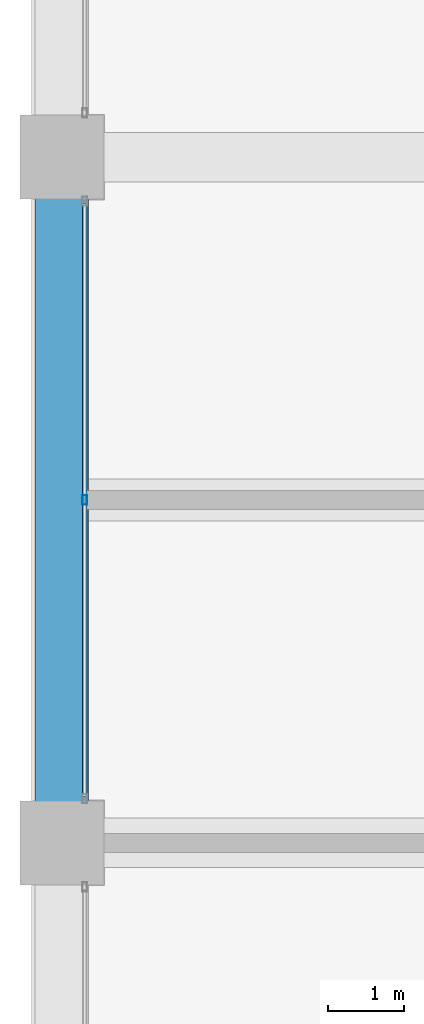
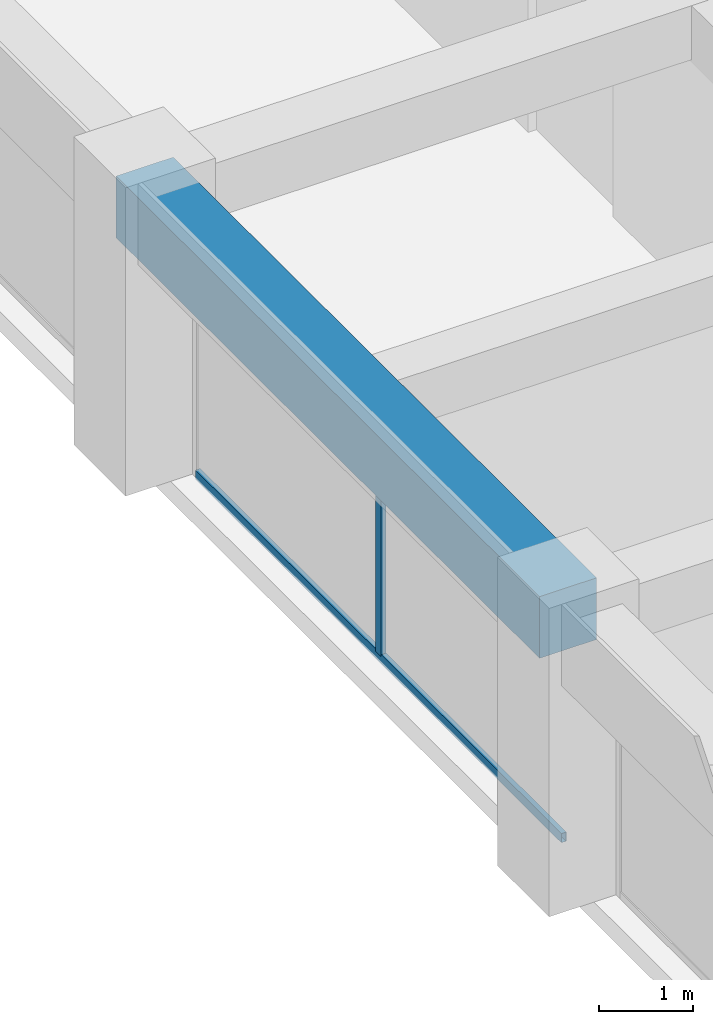
# One storey, part 14 of 44: 2 members, 1 beam, 1 element without a shape of its own.
"""IFC4 building model written with IfcOpenShell, lengths in metres."""

import ifcopenshell
import ifcopenshell.guid

model = None  # the IFC model being written
_history = None  # IfcOwnerHistory: only IFC2X3 demands one
_inside = {}  # id of a spatial element -> (the spatial element, [elements in it])
_under = {}  # id of a project, library or spatial element -> (it, [spatial elements below it])
_declared = {}  # id of a project -> (the project, [libraries it declares])
_typed = {}  # id of a type object -> (the type object, [elements of that type])
_made_of = {}  # id of a material, layer set ... -> (it, [elements and type objects made of it])


def new_model(schema):
    """Start an empty IFC model of exactly this schema.

    Asked for "IFC4X3", IfcOpenShell would pick the latest addendum, in which some entities
    have other attributes; the version numbers below select the first issue.
    IFC2X3 requires an IfcOwnerHistory on every rooted entity: one is made here for all.
    """
    global model, _history
    if schema == "IFC4X3":
        model = ifcopenshell.file(schema_version=(4, 3, 0, 0))
    else:
        model = ifcopenshell.file(schema=schema)
    _inside.clear()
    _under.clear()
    _declared.clear()
    _typed.clear()
    _made_of.clear()
    _history = None
    if model.schema == "IFC2X3":
        org = make("IfcOrganization", Name="unknown")
        user = make(
            "IfcPersonAndOrganization",
            ThePerson=make("IfcPerson", FamilyName="unknown"),
            TheOrganization=org,
        )
        app = make(
            "IfcApplication",
            ApplicationDeveloper=org,
            Version="unknown",
            ApplicationFullName="unknown",
            ApplicationIdentifier="unknown",
        )
        _history = make(
            "IfcOwnerHistory",
            OwningUser=user,
            OwningApplication=app,
            ChangeAction="ADDED",
            CreationDate=0,
        )
    return model


def make(cls, **values):
    """One entity of the class cls with the attributes given. An attribute that is None is left unset."""
    return model.create_entity(
        cls, **{name: value for name, value in values.items() if value is not None}
    )


def rooted(cls, **values):
    """An entity with a GlobalId (a new one), such as an element, a storey or a relation."""
    return make(cls, GlobalId=ifcopenshell.guid.new(), OwnerHistory=_history, **values)


def si_unit(unit_type, name, prefix=None):
    """IfcSIUnit, for example si_unit("LENGTHUNIT", "METRE", prefix="MILLI")."""
    return make("IfcSIUnit", UnitType=unit_type, Prefix=prefix, Name=name)


def assignment(units):
    """IfcUnitAssignment: the units of a project."""
    return None if units is None else make("IfcUnitAssignment", Units=units)


def point(xyz):
    """IfcCartesianPoint."""
    return None if xyz is None else make("IfcCartesianPoint", Coordinates=xyz)


def direction(xyz):
    """IfcDirection."""
    return None if xyz is None else make("IfcDirection", DirectionRatios=xyz)


def frame(location, z_axis=None, x_axis=None):
    """IfcAxis2Placement3D, a coordinate frame: its origin and axes. An axis left out is left unset."""
    return make(
        "IfcAxis2Placement3D",
        Location=point(location),
        Axis=direction(z_axis),
        RefDirection=direction(x_axis),
    )


def frame_2d(location, x_axis=None):
    """IfcAxis2Placement2D, a coordinate frame in the plane: its origin and x axis."""
    return make(
        "IfcAxis2Placement2D", Location=point(location), RefDirection=direction(x_axis)
    )


def origin():
    """The frame at (0, 0, 0) with its axes left unset."""
    return frame((0.0, 0.0, 0.0))


def origin_2d():
    """The frame at (0, 0) in the plane with its x axis left unset."""
    return frame_2d((0.0, 0.0))


def place(relative_to, where):
    """IfcLocalPlacement: puts the frame where relative to a parent placement (None: the world)."""
    return make(
        "IfcLocalPlacement", PlacementRelTo=relative_to, RelativePlacement=where
    )


def context(
    kind, dimensions, precision=None, world=None, true_north=None, identifier=None
):
    """IfcGeometricRepresentationContext, for example the 3D "Model" context."""
    return make(
        "IfcGeometricRepresentationContext",
        ContextIdentifier=identifier,
        ContextType=kind,
        CoordinateSpaceDimension=dimensions,
        Precision=precision,
        WorldCoordinateSystem=world,
        TrueNorth=true_north,
    )


def subcontext(parent, identifier, kind, view, scale=None):
    """IfcGeometricRepresentationSubContext, for example "Body" below "Model"."""
    return make(
        "IfcGeometricRepresentationSubContext",
        ContextIdentifier=identifier,
        ContextType=kind,
        ParentContext=parent,
        TargetScale=scale,
        TargetView=view,
    )


def project(units=None, contexts=None):
    """IfcProject with its units and contexts."""
    return rooted(
        "IfcProject",
        Name="project",
        RepresentationContexts=contexts,
        UnitsInContext=assignment(units),
    )


def spatial(cls, under=None, at=None, **own):
    """A site, building, storey or space (cls), placed at a placement, below another one or the project."""
    s = rooted(cls, ObjectPlacement=at, **own)
    if under is not None:
        _under.setdefault(under.id(), (under, []))[1].append(s)
    return s


def profile(cls, at=None, kind="AREA", **sizes):
    """A parametric profile (cls). Its sizes go by their IFC names, for example OverallWidth=200.0."""
    return make(cls, ProfileType=kind, Position=at, **sizes)


def rectangle(**sizes):
    """IfcRectangleProfileDef."""
    return profile("IfcRectangleProfileDef", **sizes)


def hollow_rectangle(**sizes):
    """IfcRectangleHollowProfileDef."""
    return profile("IfcRectangleHollowProfileDef", **sizes)


def extrude(swept, where, along, depth):
    """IfcExtrudedAreaSolid: the profile swept, set in the frame where, extruded along a direction by depth."""
    return make(
        "IfcExtrudedAreaSolid",
        SweptArea=swept,
        Position=where,
        ExtrudedDirection=direction(along),
        Depth=depth,
    )


def shape(context_of_items, identifier, shape_type, items):
    """IfcShapeRepresentation: the items that make up one representation, for example the "Body"."""
    return make(
        "IfcShapeRepresentation",
        ContextOfItems=context_of_items,
        RepresentationIdentifier=identifier,
        RepresentationType=shape_type,
        Items=items,
    )


def material(Name=None, Category=None):
    """IfcMaterial."""
    return make("IfcMaterial", Name=Name, Category=Category)


def material_profile(
    of_material, cross_section, Name=None, Category=None, Priority=None
):
    """IfcMaterialProfile: a cross section and its material."""
    return make(
        "IfcMaterialProfile",
        Name=Name,
        Material=of_material,
        Profile=cross_section,
        Priority=Priority,
        Category=Category,
    )


def profile_set(profiles, Name=None, composite=None):
    """IfcMaterialProfileSet."""
    return make(
        "IfcMaterialProfileSet",
        Name=Name,
        MaterialProfiles=profiles,
        CompositeProfile=composite,
    )


def made_of(thing, what):
    """Note that an element or type object is made of a material, layer set ...; save() writes the relation."""
    if what is not None:
        _made_of.setdefault(what.id(), (what, []))[1].append(thing)
    return thing


def type_object(cls, material=None, **own):
    """A type object (cls), such as IfcWallType, which elements share."""
    return made_of(rooted(cls, **own), material)


def element(
    cls,
    number,
    at=None,
    inside=None,
    cuts=None,
    type_object=None,
    material=None,
    context=None,
    identifier="Body",
    shape_type=None,
    held_by="IfcProductDefinitionShape",
    body=None,
    shapes=None,
    **own,
):
    """One element of the class cls, such as IfcWall. Its Tag is "e" and its number.

    at: its placement. inside: the storey or other place that contains it. cuts: it is an
    opening in that element (IfcRelVoidsElement). A single representation is given by context,
    identifier, shape_type and body (its items); several are given by shapes. held_by: the class
    of the entity that holds the representations. save() writes the other relations.
    """
    e = rooted(cls, Tag="e%d" % number, ObjectPlacement=at, **own)
    if body is not None:
        shapes = [shape(context, identifier, shape_type, body)]
    if shapes is not None:
        e.Representation = make(held_by, Representations=shapes)
    if inside is not None:
        _inside.setdefault(inside.id(), (inside, []))[1].append(e)
    if cuts is not None:
        rooted(
            "IfcRelVoidsElement", RelatingBuildingElement=cuts, RelatedOpeningElement=e
        )
    if type_object is not None:
        _typed.setdefault(type_object.id(), (type_object, []))[1].append(e)
    return made_of(e, material)


def aggregate(whole, parts):
    """IfcRelAggregates: a whole, such as a stair, and the parts it consists of."""
    return rooted("IfcRelAggregates", RelatingObject=whole, RelatedObjects=parts)


def save(model, path):
    """Write the relations noted so far, then the file.

    IfcRelAggregates (storeys below a building ...), IfcRelContainedInSpatialStructure (elements
    in a storey), IfcRelDefinesByType, IfcRelAssociatesMaterial and IfcRelDeclares: one each for
    every whole, place, type object, material and project.
    """
    for whole, parts in _under.values():
        aggregate(whole, parts)
    for where, things in _inside.values():
        rooted(
            "IfcRelContainedInSpatialStructure",
            RelatedElements=things,
            RelatingStructure=where,
        )
    for kind, things in _typed.values():
        rooted("IfcRelDefinesByType", RelatedObjects=things, RelatingType=kind)
    for what, things in _made_of.values():
        rooted("IfcRelAssociatesMaterial", RelatedObjects=things, RelatingMaterial=what)
    for by, libraries in _declared.values():
        rooted("IfcRelDeclares", RelatingContext=by, RelatedDefinitions=libraries)
    model.write(path)


model = new_model("IFC4")

# Units and contexts
model_context = context("Model", 3, precision=1e-05, world=origin(), true_north=direction((0.0, 1.0)))
body_context = subcontext(model_context, "Body", "Model", "MODEL_VIEW")
ifc_project = project(units=[si_unit("LENGTHUNIT", "METRE"), si_unit("AREAUNIT", "SQUARE_METRE"), si_unit("VOLUMEUNIT", "CUBIC_METRE"), si_unit("PLANEANGLEUNIT", "RADIAN"), si_unit("MASSUNIT", "GRAM", prefix="KILO")], contexts=[model_context])

# Site, building, storey
site_placement = place(None, origin())
site = spatial("IfcSite", under=ifc_project, at=site_placement, CompositionType="ELEMENT")
building_placement = place(site_placement, origin())
building = spatial("IfcBuilding", under=site, at=building_placement, Name="Zorevar Civic Tower", CompositionType="ELEMENT")
storey_placement = place(building_placement, frame((0.0, 0.0, 271.39990234375)))
storey = spatial("IfcBuildingStorey", under=building, at=storey_placement, Name="L66", CompositionType="ELEMENT", Elevation=271.39990234375)

# Curtain wall, members
ifc_material_1 = material(Name="Dark grey solar-control glass in black aluminium frame", Category="aluminium")
curtain_wall_type = type_object("IfcCurtainWallType", Name="Curtain wall CW5 top zone", PredefinedType="NOTDEFINED", material=ifc_material_1)
curtain_wall_placement = place(storey_placement, origin())
curtain_wall = element("IfcCurtainWall", 1, at=curtain_wall_placement, inside=storey, type_object=curtain_wall_type, Name="CW5 L66", PredefinedType="NOTDEFINED")
ifc_material_2 = material(Name="Aluminium, black anodised", Category="aluminium")
ifc_material_profile_1 = material_profile(ifc_material_2, hollow_rectangle(XDim=0.06005859375, YDim=0.1201171875, WallThickness=0.0029296875, at=origin_2d()), Name="AL 120x60x3")
ifc_profile_set_1 = profile_set([ifc_material_profile_1], Name="Aluminium, black anodised")
member_type_1 = type_object("IfcMemberType", Name="CW5 mullion AL 120x60x3", PredefinedType="MULLION", material=ifc_profile_set_1)
member_1_placement = place(storey_placement, frame((9.300048828125, 22.5, 0.06005859375), z_axis=(0.0, 0.0, 1.0), x_axis=(-1.0, 0.0, 0.0)))
member_1 = element("IfcMember", 2, at=member_1_placement, type_object=member_type_1, Name="CW5 mullion 2", PredefinedType="MULLION", context=body_context, shape_type="SweptSolid", body=[
    extrude(hollow_rectangle(XDim=0.06005859375, YDim=0.1201171875, WallThickness=0.0029296875, at=origin_2d()), origin(), (0.0, 0.0, 1.0), 2.89013671875),
])
ifc_material_3 = material(Name="Aluminium, black anodised", Category="aluminium")
ifc_material_profile_2 = material_profile(ifc_material_3, hollow_rectangle(XDim=0.06005859375, YDim=0.1201171875, WallThickness=0.0029296875, at=origin_2d()), Name="AL 120x60x3")
ifc_profile_set_2 = profile_set([ifc_material_profile_2], Name="Aluminium, black anodised")
member_type_2 = type_object("IfcMemberType", Name="CW5 transom AL 120x60x3", PredefinedType="USERDEFINED", material=ifc_profile_set_2)
member_2_placement = place(storey_placement, frame((9.300048828125, 18.610107421875, 0.030029296875), z_axis=(0.0, 1.0, 0.0), x_axis=(-1.0, 0.0, 0.0)))
member_2 = element("IfcMember", 3, at=member_2_placement, type_object=member_type_2, Name="CW5 sill transom", ObjectType="TRANSOM", PredefinedType="USERDEFINED", context=body_context, shape_type="SweptSolid", body=[
    extrude(hollow_rectangle(XDim=0.06005859375, YDim=0.1201171875, WallThickness=0.0029296875, at=origin_2d()), origin(), (0.0, 0.0, 1.0), 7.77978515625),
])
aggregate(curtain_wall, [member_1, member_2])

# Beam
ifc_material_4 = material(Name="Concrete C50/60", Category="concrete")
ifc_material_profile_3 = material_profile(ifc_material_4, rectangle(XDim=0.699951171875, YDim=0.800048828125, at=origin_2d()), Name="RC 700x800")
ifc_profile_set_3 = profile_set([ifc_material_profile_3], Name="Concrete C50/60")
beam_type = type_object("IfcBeamType", Name="Edge beam RC 700x800", PredefinedType="SPANDREL", material=ifc_profile_set_3)
beam_placement = place(storey_placement, frame((9.0, 18.0, 3.35009765625), z_axis=(0.0, 1.0, 0.0), x_axis=(-1.0, 0.0, 0.0)))
element("IfcBeam", 4, at=beam_placement, inside=storey, type_object=beam_type, Name="Edge beam L67", PredefinedType="SPANDREL", context=body_context, shape_type="SweptSolid", body=[
    extrude(rectangle(XDim=0.699951171875, YDim=0.800048828125, at=origin_2d()), origin(), (0.0, 0.0, 1.0), 9.0),
])

save(model, "model.ifc")
